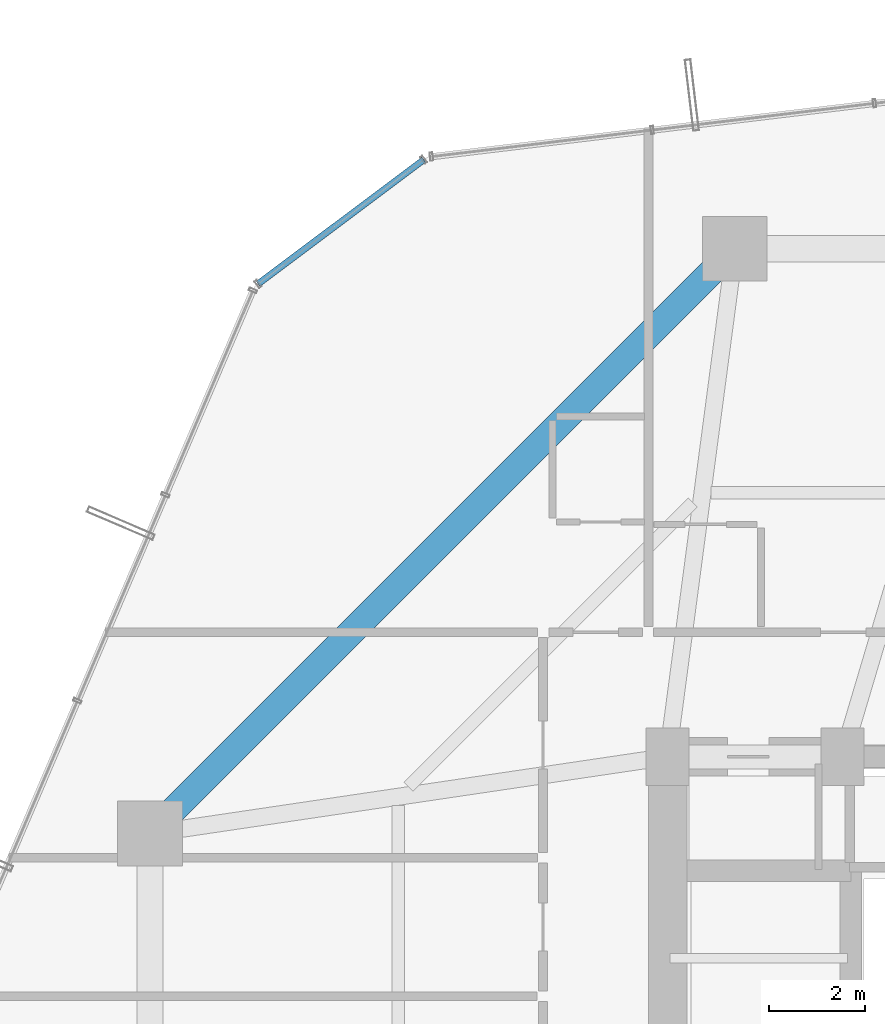
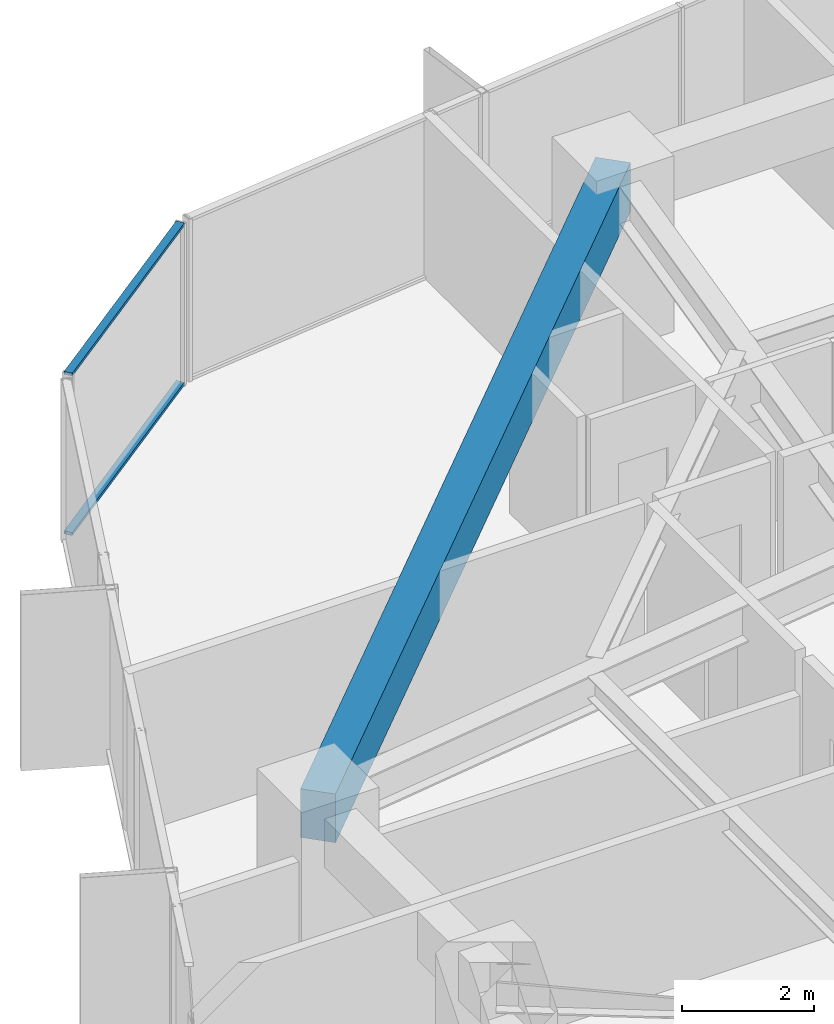
# One storey, part 22 of 37: 2 members, 1 beam, 1 element without a shape of its own.
"""IFC4 building model written with IfcOpenShell, lengths in metres."""

import ifcopenshell
import ifcopenshell.guid

model = None  # the IFC model being written
_history = None  # IfcOwnerHistory: only IFC2X3 demands one
_inside = {}  # id of a spatial element -> (the spatial element, [elements in it])
_under = {}  # id of a project, library or spatial element -> (it, [spatial elements below it])
_declared = {}  # id of a project -> (the project, [libraries it declares])
_typed = {}  # id of a type object -> (the type object, [elements of that type])
_made_of = {}  # id of a material, layer set ... -> (it, [elements and type objects made of it])


def new_model(schema):
    """Start an empty IFC model of exactly this schema.

    Asked for "IFC4X3", IfcOpenShell would pick the latest addendum, in which some entities
    have other attributes; the version numbers below select the first issue.
    IFC2X3 requires an IfcOwnerHistory on every rooted entity: one is made here for all.
    """
    global model, _history
    if schema == "IFC4X3":
        model = ifcopenshell.file(schema_version=(4, 3, 0, 0))
    else:
        model = ifcopenshell.file(schema=schema)
    _inside.clear()
    _under.clear()
    _declared.clear()
    _typed.clear()
    _made_of.clear()
    _history = None
    if model.schema == "IFC2X3":
        org = make("IfcOrganization", Name="unknown")
        user = make(
            "IfcPersonAndOrganization",
            ThePerson=make("IfcPerson", FamilyName="unknown"),
            TheOrganization=org,
        )
        app = make(
            "IfcApplication",
            ApplicationDeveloper=org,
            Version="unknown",
            ApplicationFullName="unknown",
            ApplicationIdentifier="unknown",
        )
        _history = make(
            "IfcOwnerHistory",
            OwningUser=user,
            OwningApplication=app,
            ChangeAction="ADDED",
            CreationDate=0,
        )
    return model


def make(cls, **values):
    """One entity of the class cls with the attributes given. An attribute that is None is left unset."""
    return model.create_entity(
        cls, **{name: value for name, value in values.items() if value is not None}
    )


def rooted(cls, **values):
    """An entity with a GlobalId (a new one), such as an element, a storey or a relation."""
    return make(cls, GlobalId=ifcopenshell.guid.new(), OwnerHistory=_history, **values)


def si_unit(unit_type, name, prefix=None):
    """IfcSIUnit, for example si_unit("LENGTHUNIT", "METRE", prefix="MILLI")."""
    return make("IfcSIUnit", UnitType=unit_type, Prefix=prefix, Name=name)


def assignment(units):
    """IfcUnitAssignment: the units of a project."""
    return None if units is None else make("IfcUnitAssignment", Units=units)


def point(xyz):
    """IfcCartesianPoint."""
    return None if xyz is None else make("IfcCartesianPoint", Coordinates=xyz)


def direction(xyz):
    """IfcDirection."""
    return None if xyz is None else make("IfcDirection", DirectionRatios=xyz)


def frame(location, z_axis=None, x_axis=None):
    """IfcAxis2Placement3D, a coordinate frame: its origin and axes. An axis left out is left unset."""
    return make(
        "IfcAxis2Placement3D",
        Location=point(location),
        Axis=direction(z_axis),
        RefDirection=direction(x_axis),
    )


def frame_2d(location, x_axis=None):
    """IfcAxis2Placement2D, a coordinate frame in the plane: its origin and x axis."""
    return make(
        "IfcAxis2Placement2D", Location=point(location), RefDirection=direction(x_axis)
    )


def origin():
    """The frame at (0, 0, 0) with its axes left unset."""
    return frame((0.0, 0.0, 0.0))


def origin_2d():
    """The frame at (0, 0) in the plane with its x axis left unset."""
    return frame_2d((0.0, 0.0))


def place(relative_to, where):
    """IfcLocalPlacement: puts the frame where relative to a parent placement (None: the world)."""
    return make(
        "IfcLocalPlacement", PlacementRelTo=relative_to, RelativePlacement=where
    )


def context(
    kind, dimensions, precision=None, world=None, true_north=None, identifier=None
):
    """IfcGeometricRepresentationContext, for example the 3D "Model" context."""
    return make(
        "IfcGeometricRepresentationContext",
        ContextIdentifier=identifier,
        ContextType=kind,
        CoordinateSpaceDimension=dimensions,
        Precision=precision,
        WorldCoordinateSystem=world,
        TrueNorth=true_north,
    )


def subcontext(parent, identifier, kind, view, scale=None):
    """IfcGeometricRepresentationSubContext, for example "Body" below "Model"."""
    return make(
        "IfcGeometricRepresentationSubContext",
        ContextIdentifier=identifier,
        ContextType=kind,
        ParentContext=parent,
        TargetScale=scale,
        TargetView=view,
    )


def project(units=None, contexts=None):
    """IfcProject with its units and contexts."""
    return rooted(
        "IfcProject",
        Name="project",
        RepresentationContexts=contexts,
        UnitsInContext=assignment(units),
    )


def spatial(cls, under=None, at=None, **own):
    """A site, building, storey or space (cls), placed at a placement, below another one or the project."""
    s = rooted(cls, ObjectPlacement=at, **own)
    if under is not None:
        _under.setdefault(under.id(), (under, []))[1].append(s)
    return s


def profile(cls, at=None, kind="AREA", **sizes):
    """A parametric profile (cls). Its sizes go by their IFC names, for example OverallWidth=200.0."""
    return make(cls, ProfileType=kind, Position=at, **sizes)


def rectangle(**sizes):
    """IfcRectangleProfileDef."""
    return profile("IfcRectangleProfileDef", **sizes)


def hollow_rectangle(**sizes):
    """IfcRectangleHollowProfileDef."""
    return profile("IfcRectangleHollowProfileDef", **sizes)


def extrude(swept, where, along, depth):
    """IfcExtrudedAreaSolid: the profile swept, set in the frame where, extruded along a direction by depth."""
    return make(
        "IfcExtrudedAreaSolid",
        SweptArea=swept,
        Position=where,
        ExtrudedDirection=direction(along),
        Depth=depth,
    )


def shape(context_of_items, identifier, shape_type, items):
    """IfcShapeRepresentation: the items that make up one representation, for example the "Body"."""
    return make(
        "IfcShapeRepresentation",
        ContextOfItems=context_of_items,
        RepresentationIdentifier=identifier,
        RepresentationType=shape_type,
        Items=items,
    )


def source(mapping_origin, context_of_items, identifier, shape_type, items):
    """IfcRepresentationMap: a shape defined once, which mapped items show again and again."""
    return make(
        "IfcRepresentationMap",
        MappingOrigin=mapping_origin,
        MappedRepresentation=shape(context_of_items, identifier, shape_type, items),
    )


def transform(
    local_origin,
    x_axis=None,
    y_axis=None,
    z_axis=None,
    scale=None,
    scale2=None,
    scale3=None,
    uniform=True,
):
    """IfcCartesianTransformationOperator3D, or its non-uniform kind. x_axis, y_axis, z_axis: its Axis1, 2, 3."""
    if uniform:
        return make(
            "IfcCartesianTransformationOperator3D",
            Axis1=direction(x_axis),
            Axis2=direction(y_axis),
            LocalOrigin=point(local_origin),
            Scale=scale,
            Axis3=direction(z_axis),
        )
    return make(
        "IfcCartesianTransformationOperator3DnonUniform",
        Axis1=direction(x_axis),
        Axis2=direction(y_axis),
        LocalOrigin=point(local_origin),
        Scale=scale,
        Axis3=direction(z_axis),
        Scale2=scale2,
        Scale3=scale3,
    )


def mapped(mapping_source, mapping_target):
    """IfcMappedItem: shows the shape of a source again, moved by a transform."""
    return make(
        "IfcMappedItem", MappingSource=mapping_source, MappingTarget=mapping_target
    )


def material(Name=None, Category=None):
    """IfcMaterial."""
    return make("IfcMaterial", Name=Name, Category=Category)


def layer(
    of_material, thickness, ventilated=None, Name=None, Category=None, Priority=None
):
    """IfcMaterialLayer: one layer of a wall or slab, of a material (None: an air gap)."""
    return make(
        "IfcMaterialLayer",
        Material=of_material,
        LayerThickness=thickness,
        IsVentilated=ventilated,
        Name=Name,
        Category=Category,
        Priority=Priority,
    )


def layer_set(layers, Name=None):
    """IfcMaterialLayerSet."""
    return make("IfcMaterialLayerSet", MaterialLayers=layers, LayerSetName=Name)


def material_profile(
    of_material, cross_section, Name=None, Category=None, Priority=None
):
    """IfcMaterialProfile: a cross section and its material."""
    return make(
        "IfcMaterialProfile",
        Name=Name,
        Material=of_material,
        Profile=cross_section,
        Priority=Priority,
        Category=Category,
    )


def profile_set(profiles, Name=None, composite=None):
    """IfcMaterialProfileSet."""
    return make(
        "IfcMaterialProfileSet",
        Name=Name,
        MaterialProfiles=profiles,
        CompositeProfile=composite,
    )


def made_of(thing, what):
    """Note that an element or type object is made of a material, layer set ...; save() writes the relation."""
    if what is not None:
        _made_of.setdefault(what.id(), (what, []))[1].append(thing)
    return thing


def type_object(cls, material=None, **own):
    """A type object (cls), such as IfcWallType, which elements share."""
    return made_of(rooted(cls, **own), material)


def element(
    cls,
    number,
    at=None,
    inside=None,
    cuts=None,
    type_object=None,
    material=None,
    context=None,
    identifier="Body",
    shape_type=None,
    held_by="IfcProductDefinitionShape",
    body=None,
    shapes=None,
    **own,
):
    """One element of the class cls, such as IfcWall. Its Tag is "e" and its number.

    at: its placement. inside: the storey or other place that contains it. cuts: it is an
    opening in that element (IfcRelVoidsElement). A single representation is given by context,
    identifier, shape_type and body (its items); several are given by shapes. held_by: the class
    of the entity that holds the representations. save() writes the other relations.
    """
    e = rooted(cls, Tag="e%d" % number, ObjectPlacement=at, **own)
    if body is not None:
        shapes = [shape(context, identifier, shape_type, body)]
    if shapes is not None:
        e.Representation = make(held_by, Representations=shapes)
    if inside is not None:
        _inside.setdefault(inside.id(), (inside, []))[1].append(e)
    if cuts is not None:
        rooted(
            "IfcRelVoidsElement", RelatingBuildingElement=cuts, RelatedOpeningElement=e
        )
    if type_object is not None:
        _typed.setdefault(type_object.id(), (type_object, []))[1].append(e)
    return made_of(e, material)


def aggregate(whole, parts):
    """IfcRelAggregates: a whole, such as a stair, and the parts it consists of."""
    return rooted("IfcRelAggregates", RelatingObject=whole, RelatedObjects=parts)


def save(model, path):
    """Write the relations noted so far, then the file.

    IfcRelAggregates (storeys below a building ...), IfcRelContainedInSpatialStructure (elements
    in a storey), IfcRelDefinesByType, IfcRelAssociatesMaterial and IfcRelDeclares: one each for
    every whole, place, type object, material and project.
    """
    for whole, parts in _under.values():
        aggregate(whole, parts)
    for where, things in _inside.values():
        rooted(
            "IfcRelContainedInSpatialStructure",
            RelatedElements=things,
            RelatingStructure=where,
        )
    for kind, things in _typed.values():
        rooted("IfcRelDefinesByType", RelatedObjects=things, RelatingType=kind)
    for what, things in _made_of.values():
        rooted("IfcRelAssociatesMaterial", RelatedObjects=things, RelatingMaterial=what)
    for by, libraries in _declared.values():
        rooted("IfcRelDeclares", RelatingContext=by, RelatedDefinitions=libraries)
    model.write(path)


model = new_model("IFC4")

# Units and contexts
model_context = context("Model", 3, precision=1e-05, world=origin(), true_north=direction((0.0, 1.0)))
body_context = subcontext(model_context, "Body", "Model", "MODEL_VIEW")
ifc_project = project(units=[si_unit("LENGTHUNIT", "METRE"), si_unit("AREAUNIT", "SQUARE_METRE"), si_unit("VOLUMEUNIT", "CUBIC_METRE"), si_unit("PLANEANGLEUNIT", "RADIAN"), si_unit("MASSUNIT", "GRAM", prefix="KILO")], contexts=[model_context])

# Site, building, storey
site_placement = place(None, origin())
site = spatial("IfcSite", under=ifc_project, at=site_placement, CompositionType="ELEMENT")
building_placement = place(site_placement, origin())
building = spatial("IfcBuilding", under=site, at=building_placement, Name="Veraguas Prism Commons", CompositionType="ELEMENT")
storey_placement = place(building_placement, frame((0.0, 0.0, 46.800048828125)))
storey = spatial("IfcBuildingStorey", under=building, at=storey_placement, Name="L12", CompositionType="ELEMENT", Elevation=46.800048828125)

# Beam
ifc_material_1 = material(Name="Concrete C50/60", Category="concrete")
ifc_material_profile_1 = material_profile(ifc_material_1, rectangle(XDim=0.550048828125, YDim=0.89990234375, at=origin_2d()), Name="RC550X900")
ifc_profile_set_1 = profile_set([ifc_material_profile_1], Name="Concrete C50/60")
beam_type = type_object("IfcBeamType", Name="Perimeter Spandrel Lower RC 550x900", PredefinedType="SPANDREL", material=ifc_profile_set_1)
beam_placement = place(storey_placement, frame((18.60009765625, 41.60009765625, 2.550048828125), z_axis=(-0.707106781187, -0.707106781187, 0.0), x_axis=(0.707106781187, -0.707106781187, 0.0)))
element("IfcBeam", 1, at=beam_placement, inside=storey, type_object=beam_type, Name="Perimeter Spandrel Beam L12-SP06", PredefinedType="SPANDREL", context=body_context, shape_type="SweptSolid", body=[
    extrude(rectangle(XDim=0.550048828125, YDim=0.89990234375, at=origin_2d()), origin(), (0.0, 0.0, 1.0), 17.253662109375),
])

# Curtain wall, members
ifc_material_2 = material(Name="Anodised aluminium EN AW-6063 T6", Category="aluminium")
ifc_layer = layer(ifc_material_2, 0.169921875, Name="Unitised Flush Curtain Wall Zone 1", Category="aluminium")
ifc_layer_set = layer_set([ifc_layer], Name="Anodised aluminium EN AW-6063 T6")
curtain_wall_type = type_object("IfcCurtainWallType", Name="Unitised Flush Curtain Wall Zone 1", PredefinedType="NOTDEFINED", material=ifc_layer_set)
curtain_wall_placement = place(storey_placement, origin())
curtain_wall = element("IfcCurtainWall", 2, at=curtain_wall_placement, inside=storey, type_object=curtain_wall_type, Name="Chamfer Curtain Wall L12-C3", PredefinedType="NOTDEFINED")
ifc_material_profile_2 = material_profile(ifc_material_2, hollow_rectangle(XDim=0.054931640625, YDim=0.135009765625, WallThickness=0.0029296875, at=origin_2d()), Name="AL55X135X3")
ifc_profile_set_2 = profile_set([ifc_material_profile_2], Name="Anodised aluminium EN AW-6063 T6")
member_type = type_object("IfcMemberType", Name="Curtain Wall Transom Standard AL 55x135x3", PredefinedType="USERDEFINED", material=ifc_profile_set_2)
shared_shape = source(origin(), body_context, "Body", "SweptSolid", [
    extrude(hollow_rectangle(XDim=0.054931640625, YDim=0.135009765625, WallThickness=0.0029296875, at=origin_2d()), origin(), (0.0, 0.0, 1.0), 4.320068359375),
])
member_1_placement = place(storey_placement, frame((12.11083984375, 43.458740234375, 0.02734375), z_axis=(-0.800122053201, -0.599837227905, 0.0), x_axis=(0.0, 0.0, 1.0)))
member_1 = element("IfcMember", 3, at=member_1_placement, type_object=member_type, Name="CW-Z1 Transom 1", ObjectType="TRANSOM", PredefinedType="USERDEFINED", context=body_context, shape_type="MappedRepresentation", body=[
    mapped(shared_shape, transform((0.0, 0.0, 0.0), scale=1.0)),
])
member_2_placement = place(storey_placement, frame((12.11083984375, 43.458740234375, 2.972412109375), z_axis=(-0.800122053201, -0.599837227905, 0.0), x_axis=(0.0, 0.0, 1.0)))
member_2 = element("IfcMember", 4, at=member_2_placement, type_object=member_type, Name="CW-Z1 Transom 2", ObjectType="TRANSOM", PredefinedType="USERDEFINED", context=body_context, shape_type="MappedRepresentation", body=[
    mapped(shared_shape, transform((0.0, 0.0, 0.0), scale=1.0)),
])
aggregate(curtain_wall, [member_1, member_2])

save(model, "model.ifc")
